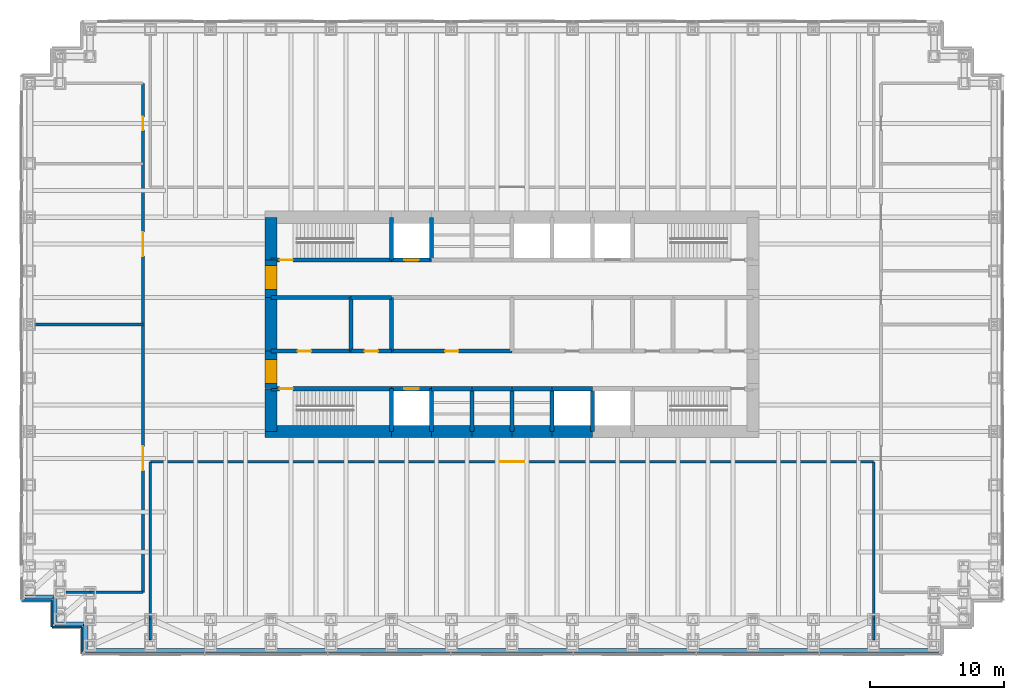
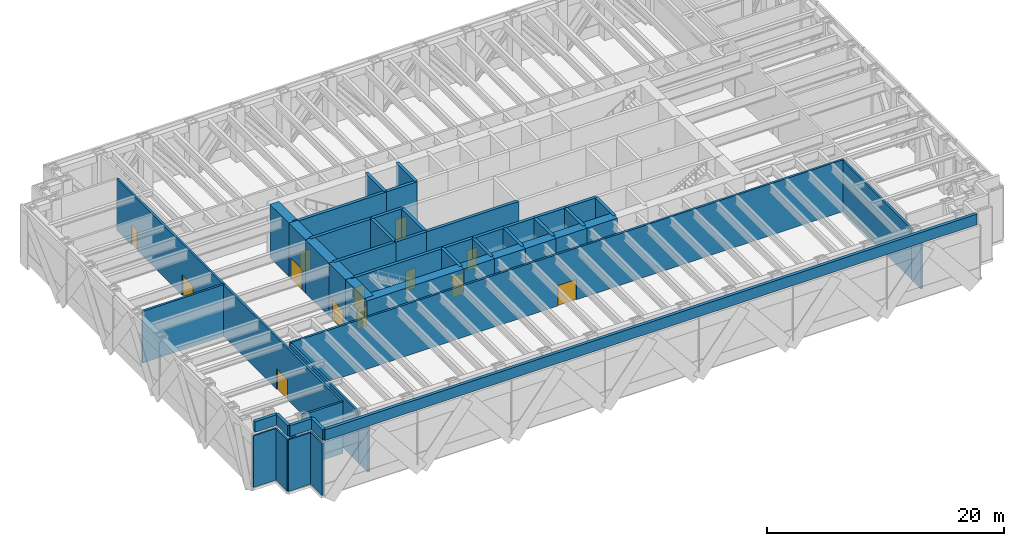
# One storey, part 13 of 16: 52 walls, 13 doors, 13 openings.
"""IFC4 building model written with IfcOpenShell, lengths in metres."""

from ifc_helpers import new_model, si_unit, direction, frame, frame_2d, origin, place, context, subcontext, project, spatial, rectangle, extrude, material, layer, layer_set, type_object, element, fill, save


model = new_model("IFC4")

# Units and contexts
model_context = context("Model", 3, precision=1e-05, world=origin(), true_north=direction((0.0, 1.0)))
body_context = subcontext(model_context, "Body", "Model", "MODEL_VIEW")
ifc_project = project(units=[si_unit("LENGTHUNIT", "METRE"), si_unit("AREAUNIT", "SQUARE_METRE"), si_unit("VOLUMEUNIT", "CUBIC_METRE"), si_unit("PLANEANGLEUNIT", "RADIAN"), si_unit("MASSUNIT", "GRAM", prefix="KILO")], contexts=[model_context])

# Site, building, storey
site_placement = place(None, origin())
site = spatial("IfcSite", under=ifc_project, at=site_placement, CompositionType="ELEMENT")
building_placement = place(site_placement, origin())
building = spatial("IfcBuilding", under=site, at=building_placement, Name="Rheinbord Bourse Tower", CompositionType="ELEMENT")
storey_placement = place(building_placement, frame((0.0, 0.0, 95.0)))
storey = spatial("IfcBuildingStorey", under=building, at=storey_placement, Name="L20", CompositionType="ELEMENT", Elevation=95.0)

# Wall, opening, door
ifc_material_1 = material(Name="Concrete C50/60", Category="concrete")
ifc_layer_1 = layer(ifc_material_1, 0.300048828125)
ifc_layer_set_1 = layer_set([ifc_layer_1], Name="CORE INNER WALL 300")
wall_type_1 = type_object("IfcWallType", Name="CORE INNER WALL 300", PredefinedType="SOLIDWALL", material=ifc_layer_set_1)
wall_1_placement = place(storey_placement, frame((18.0, 19.199951171875, 0.0), z_axis=(0.0, 0.0, 1.0), x_axis=(1.0, 0.0, 0.0)))
wall_1 = element("IfcWall", 1, at=wall_1_placement, inside=storey, type_object=wall_type_1, Name="Core wall A1 L20", PredefinedType="SOLIDWALL", context=body_context, shape_type="SweptSolid", body=[
    extrude(rectangle(XDim=9.0, YDim=0.300048828125, at=frame_2d((4.5, 0.0))), origin(), (0.0, 0.0, 1.0), 5.5),
])
opening_1_placement = place(wall_1_placement, frame((0.64990234375, 0.0, 0.0)))
opening_1 = element("IfcOpeningElement", 2, at=opening_1_placement, cuts=wall_1, Name="Opening 2010", PredefinedType="OPENING", context=body_context, shape_type="SweptSolid", body=[
    extrude(rectangle(XDim=1.0, YDim=2.10009765625, at=frame_2d((0.5, 1.050048828125))), frame((0.0, 0.159912109375, 0.0), z_axis=(0.0, -1.0, 0.0), x_axis=(1.0, 0.0, 0.0)), (0.0, 0.0, 1.0), 0.320068359375),
])
ifc_material_2 = material(Name="Steel door", Category="steel")
door_type_1 = type_object("IfcDoorType", Name="DOOR 1000 EI30", OperationType="SINGLE_SWING_LEFT", PredefinedType="DOOR", material=ifc_material_2)
door_1_placement = place(opening_1_placement, origin())
door_1 = element("IfcDoor", 3, at=door_1_placement, inside=storey, type_object=door_type_1, Name="Stair door ST1 L20", OperationType="SINGLE_SWING_LEFT", OverallHeight=2.10009765625, OverallWidth=1.0, PredefinedType="DOOR", context=body_context, shape_type="SweptSolid", body=[
    extrude(rectangle(XDim=1.0, YDim=2.10009765625, at=frame_2d((0.5, 1.050048828125))), frame((0.0, 0.02490234375, 0.0), z_axis=(0.0, -1.0, 0.0), x_axis=(1.0, 0.0, 0.0)), (0.0, 0.0, 1.0), 0.050048828125),
])
fill(opening_1, door_1)

wall_2_placement = place(storey_placement, frame((27.0, 19.199951171875, 0.0), z_axis=(0.0, 0.0, 1.0), x_axis=(1.0, 0.0, 0.0)))
wall_2 = element("IfcWall", 4, at=wall_2_placement, inside=storey, type_object=wall_type_1, Name="Core wall A2 L20", PredefinedType="SOLIDWALL", context=body_context, shape_type="SweptSolid", body=[
    extrude(rectangle(XDim=3.0, YDim=0.300048828125, at=frame_2d((1.5, 0.0))), origin(), (0.0, 0.0, 1.0), 5.5),
])
opening_2_placement = place(wall_2_placement, frame((0.949951171875, 0.0, 0.0)))
opening_2 = element("IfcOpeningElement", 5, at=opening_2_placement, cuts=wall_2, Name="Opening FL1", PredefinedType="OPENING", context=body_context, shape_type="SweptSolid", body=[
    extrude(rectangle(XDim=1.10009765625, YDim=2.199951171875, at=frame_2d((0.550048828125, 1.10009765625))), frame((0.0, 0.159912109375, 0.0), z_axis=(0.0, -1.0, 0.0), x_axis=(1.0, 0.0, 0.0)), (0.0, 0.0, 1.0), 0.320068359375),
])
ifc_material_3 = material(Name="Steel landing door", Category="steel")
door_type_2 = type_object("IfcDoorType", Name="LIFT LANDING DOOR 1100", OperationType="DOUBLE_DOOR_SLIDING", PredefinedType="USERDEFINED", material=ifc_material_3)
door_2_placement = place(opening_2_placement, origin())
door_2 = element("IfcDoor", 6, at=door_2_placement, inside=storey, type_object=door_type_2, Name="Lift landing door FL1 L20", ObjectType="LIFT LANDING DOOR", OperationType="DOUBLE_DOOR_SLIDING", OverallHeight=2.199951171875, OverallWidth=1.10009765625, PredefinedType="USERDEFINED", context=body_context, shape_type="SweptSolid", body=[
    extrude(rectangle(XDim=1.10009765625, YDim=2.199951171875, at=frame_2d((0.550048828125, 1.10009765625))), frame((0.0, 0.02490234375, 0.0), z_axis=(0.0, -1.0, 0.0), x_axis=(1.0, 0.0, 0.0)), (0.0, 0.0, 1.0), 0.050048828125),
])
fill(opening_2, door_2)

# Walls
for number, where, z_axis, x_axis, name in (
    (7, (30.0, 19.199951171875, 0.0), (0.0, 0.0, 1.0), (1.0, 0.0, 0.0), "Core wall A3 L20"),
    (8, (33.0, 19.199951171875, 0.0), (0.0, 0.0, 1.0), (1.0, 0.0, 0.0), "Core wall A4 L20"),
    (9, (36.0, 19.199951171875, 0.0), (0.0, 0.0, 1.0), (1.0, 0.0, 0.0), "Core wall A5 L20"),
    (10, (39.0, 19.199951171875, 0.0), (0.0, 0.0, 1.0), (1.0, 0.0, 0.0), "Core wall A6 L20"),
):
    element("IfcWall", number, at=place(storey_placement, frame(where, z_axis=z_axis, x_axis=x_axis)), inside=storey, type_object=wall_type_1, Name=name, PredefinedType="SOLIDWALL", context=body_context, shape_type="SweptSolid", body=[
        extrude(rectangle(XDim=3.0, YDim=0.300048828125, at=frame_2d((1.5, 0.0))), origin(), (0.0, 0.0, 1.0), 5.5),
    ])

# Wall, opening, door
wall_3_placement = place(storey_placement, frame((18.0, 28.800048828125, 0.0), z_axis=(0.0, 0.0, 1.0), x_axis=(1.0, 0.0, 0.0)))
wall_3 = element("IfcWall", 11, at=wall_3_placement, inside=storey, type_object=wall_type_1, Name="Core wall B1 L20", PredefinedType="SOLIDWALL", context=body_context, shape_type="SweptSolid", body=[
    extrude(rectangle(XDim=9.0, YDim=0.300048828125, at=frame_2d((4.5, 0.0))), origin(), (0.0, 0.0, 1.0), 5.5),
])
opening_3_placement = place(wall_3_placement, frame((0.64990234375, 0.0, 0.0)))
opening_3 = element("IfcOpeningElement", 12, at=opening_3_placement, cuts=wall_3, Name="Opening 2020", PredefinedType="OPENING", context=body_context, shape_type="SweptSolid", body=[
    extrude(rectangle(XDim=1.0, YDim=2.10009765625, at=frame_2d((0.5, 1.050048828125))), frame((0.0, 0.159912109375, 0.0), z_axis=(0.0, -1.0, 0.0), x_axis=(1.0, 0.0, 0.0)), (0.0, 0.0, 1.0), 0.320068359375),
])
door_3_placement = place(opening_3_placement, origin())
door_3 = element("IfcDoor", 13, at=door_3_placement, inside=storey, type_object=door_type_1, Name="Stair door ST2 L20", OperationType="SINGLE_SWING_LEFT", OverallHeight=2.10009765625, OverallWidth=1.0, PredefinedType="DOOR", context=body_context, shape_type="SweptSolid", body=[
    extrude(rectangle(XDim=1.0, YDim=2.10009765625, at=frame_2d((0.5, 1.050048828125))), frame((0.0, 0.02490234375, 0.0), z_axis=(0.0, -1.0, 0.0), x_axis=(1.0, 0.0, 0.0)), (0.0, 0.0, 1.0), 0.050048828125),
])
fill(opening_3, door_3)

wall_4_placement = place(storey_placement, frame((27.0, 28.800048828125, 0.0), z_axis=(0.0, 0.0, 1.0), x_axis=(1.0, 0.0, 0.0)))
wall_4 = element("IfcWall", 14, at=wall_4_placement, inside=storey, type_object=wall_type_1, Name="Core wall B2 L20", PredefinedType="SOLIDWALL", context=body_context, shape_type="SweptSolid", body=[
    extrude(rectangle(XDim=3.0, YDim=0.300048828125, at=frame_2d((1.5, 0.0))), origin(), (0.0, 0.0, 1.0), 5.5),
])
opening_4_placement = place(wall_4_placement, frame((0.949951171875, 0.0, 0.0)))
opening_4 = element("IfcOpeningElement", 15, at=opening_4_placement, cuts=wall_4, Name="Opening GL1", PredefinedType="OPENING", context=body_context, shape_type="SweptSolid", body=[
    extrude(rectangle(XDim=1.10009765625, YDim=2.199951171875, at=frame_2d((0.550048828125, 1.10009765625))), frame((0.0, 0.159912109375, 0.0), z_axis=(0.0, -1.0, 0.0), x_axis=(1.0, 0.0, 0.0)), (0.0, 0.0, 1.0), 0.320068359375),
])
door_4_placement = place(opening_4_placement, origin())
door_4 = element("IfcDoor", 16, at=door_4_placement, inside=storey, type_object=door_type_2, Name="Lift landing door GL1 L20", ObjectType="LIFT LANDING DOOR", OperationType="DOUBLE_DOOR_SLIDING", OverallHeight=2.199951171875, OverallWidth=1.10009765625, PredefinedType="USERDEFINED", context=body_context, shape_type="SweptSolid", body=[
    extrude(rectangle(XDim=1.10009765625, YDim=2.199951171875, at=frame_2d((0.550048828125, 1.10009765625))), frame((0.0, 0.02490234375, 0.0), z_axis=(0.0, -1.0, 0.0), x_axis=(1.0, 0.0, 0.0)), (0.0, 0.0, 1.0), 0.050048828125),
])
fill(opening_4, door_4)

wall_5_placement = place(storey_placement, frame((18.0, 22.0, 0.0), z_axis=(0.0, 0.0, 1.0), x_axis=(1.0, 0.0, 0.0)))
wall_5 = element("IfcWall", 17, at=wall_5_placement, inside=storey, type_object=wall_type_1, Name="Core wall C1 L20", PredefinedType="SOLIDWALL", context=body_context, shape_type="SweptSolid", body=[
    extrude(rectangle(XDim=6.0, YDim=0.300048828125, at=frame_2d((3.0, 0.0))), origin(), (0.0, 0.0, 1.0), 5.5),
])
opening_5_placement = place(wall_5_placement, frame((2.0, 0.0, 0.0)))
opening_5 = element("IfcOpeningElement", 18, at=opening_5_placement, cuts=wall_5, Name="Opening 20R1", PredefinedType="OPENING", context=body_context, shape_type="SweptSolid", body=[
    extrude(rectangle(XDim=1.0, YDim=2.10009765625, at=frame_2d((0.5, 1.050048828125))), frame((0.0, 0.159912109375, 0.0), z_axis=(0.0, -1.0, 0.0), x_axis=(1.0, 0.0, 0.0)), (0.0, 0.0, 1.0), 0.320068359375),
])
ifc_material_4 = material(Name="Timber door", Category="wood")
door_type_3 = type_object("IfcDoorType", Name="DOOR 1000 WC", OperationType="SINGLE_SWING_LEFT", PredefinedType="DOOR", material=ifc_material_4)
door_5_placement = place(opening_5_placement, origin())
door_5 = element("IfcDoor", 19, at=door_5_placement, inside=storey, type_object=door_type_3, Name="WC men door L20", OperationType="SINGLE_SWING_LEFT", OverallHeight=2.10009765625, OverallWidth=1.0, PredefinedType="DOOR", context=body_context, shape_type="SweptSolid", body=[
    extrude(rectangle(XDim=1.0, YDim=2.10009765625, at=frame_2d((0.5, 1.050048828125))), frame((0.0, 0.02490234375, 0.0), z_axis=(0.0, -1.0, 0.0), x_axis=(1.0, 0.0, 0.0)), (0.0, 0.0, 1.0), 0.050048828125),
])
fill(opening_5, door_5)

wall_6_placement = place(storey_placement, frame((24.0, 22.0, 0.0), z_axis=(0.0, 0.0, 1.0), x_axis=(1.0, 0.0, 0.0)))
wall_6 = element("IfcWall", 20, at=wall_6_placement, inside=storey, type_object=wall_type_1, Name="Core wall C2 L20", PredefinedType="SOLIDWALL", context=body_context, shape_type="SweptSolid", body=[
    extrude(rectangle(XDim=3.0, YDim=0.300048828125, at=frame_2d((1.5, 0.0))), origin(), (0.0, 0.0, 1.0), 5.5),
])
opening_6_placement = place(wall_6_placement, frame((1.0, 0.0, 0.0)))
opening_6 = element("IfcOpeningElement", 21, at=opening_6_placement, cuts=wall_6, Name="Opening 20R2", PredefinedType="OPENING", context=body_context, shape_type="SweptSolid", body=[
    extrude(rectangle(XDim=1.0, YDim=2.10009765625, at=frame_2d((0.5, 1.050048828125))), frame((0.0, 0.159912109375, 0.0), z_axis=(0.0, -1.0, 0.0), x_axis=(1.0, 0.0, 0.0)), (0.0, 0.0, 1.0), 0.320068359375),
])
door_6_placement = place(opening_6_placement, origin())
door_6 = element("IfcDoor", 22, at=door_6_placement, inside=storey, type_object=door_type_3, Name="Accessible WC door L20", OperationType="SINGLE_SWING_LEFT", OverallHeight=2.10009765625, OverallWidth=1.0, PredefinedType="DOOR", context=body_context, shape_type="SweptSolid", body=[
    extrude(rectangle(XDim=1.0, YDim=2.10009765625, at=frame_2d((0.5, 1.050048828125))), frame((0.0, 0.02490234375, 0.0), z_axis=(0.0, -1.0, 0.0), x_axis=(1.0, 0.0, 0.0)), (0.0, 0.0, 1.0), 0.050048828125),
])
fill(opening_6, door_6)

wall_7_placement = place(storey_placement, frame((27.0, 22.0, 0.0), z_axis=(0.0, 0.0, 1.0), x_axis=(1.0, 0.0, 0.0)))
wall_7 = element("IfcWall", 23, at=wall_7_placement, inside=storey, type_object=wall_type_1, Name="Core wall C3 L20", PredefinedType="SOLIDWALL", context=body_context, shape_type="SweptSolid", body=[
    extrude(rectangle(XDim=9.0, YDim=0.300048828125, at=frame_2d((4.5, 0.0))), origin(), (0.0, 0.0, 1.0), 5.5),
])
opening_7_placement = place(wall_7_placement, frame((4.0, 0.0, 0.0)))
opening_7 = element("IfcOpeningElement", 24, at=opening_7_placement, cuts=wall_7, Name="Opening 20R3", PredefinedType="OPENING", context=body_context, shape_type="SweptSolid", body=[
    extrude(rectangle(XDim=1.0, YDim=2.10009765625, at=frame_2d((0.5, 1.050048828125))), frame((0.0, 0.159912109375, 0.0), z_axis=(0.0, -1.0, 0.0), x_axis=(1.0, 0.0, 0.0)), (0.0, 0.0, 1.0), 0.320068359375),
])
door_7_placement = place(opening_7_placement, origin())
door_7 = element("IfcDoor", 25, at=door_7_placement, inside=storey, type_object=door_type_1, Name="Riser door L20", OperationType="SINGLE_SWING_LEFT", OverallHeight=2.10009765625, OverallWidth=1.0, PredefinedType="DOOR", context=body_context, shape_type="SweptSolid", body=[
    extrude(rectangle(XDim=1.0, YDim=2.10009765625, at=frame_2d((0.5, 1.050048828125))), frame((0.0, 0.02490234375, 0.0), z_axis=(0.0, -1.0, 0.0), x_axis=(1.0, 0.0, 0.0)), (0.0, 0.0, 1.0), 0.050048828125),
])
fill(opening_7, door_7)

# Walls
wall_8_placement = place(storey_placement, frame((18.0, 26.0, 0.0), z_axis=(0.0, 0.0, 1.0), x_axis=(1.0, 0.0, 0.0)))
element("IfcWall", 26, at=wall_8_placement, inside=storey, type_object=wall_type_1, Name="Core wall D1 L20", PredefinedType="SOLIDWALL", context=body_context, shape_type="SweptSolid", body=[
    extrude(rectangle(XDim=6.0, YDim=0.300048828125, at=frame_2d((3.0, 0.0))), origin(), (0.0, 0.0, 1.0), 5.5),
])
wall_9_placement = place(storey_placement, frame((24.0, 26.0, 0.0), z_axis=(0.0, 0.0, 1.0), x_axis=(1.0, 0.0, 0.0)))
element("IfcWall", 27, at=wall_9_placement, inside=storey, type_object=wall_type_1, Name="Core wall D2 L20", PredefinedType="SOLIDWALL", context=body_context, shape_type="SweptSolid", body=[
    extrude(rectangle(XDim=3.0, YDim=0.300048828125, at=frame_2d((1.5, 0.0))), origin(), (0.0, 0.0, 1.0), 5.5),
])
for number, where, z_axis, x_axis, name in (
    (28, (27.0, 16.0, 0.0), (0.0, 0.0, 1.0), (0.0, 1.0, 0.0), "Core wall SX27 L20"),
    (29, (27.0, 28.800048828125, 0.0), (0.0, 0.0, 1.0), (0.0, 1.0, 0.0), "Core wall NX27 L20"),
    (30, (30.0, 16.0, 0.0), (0.0, 0.0, 1.0), (0.0, 1.0, 0.0), "Core wall SX30 L20"),
    (31, (30.0, 28.800048828125, 0.0), (0.0, 0.0, 1.0), (0.0, 1.0, 0.0), "Core wall NX30 L20"),
    (32, (33.0, 16.0, 0.0), (0.0, 0.0, 1.0), (0.0, 1.0, 0.0), "Core wall SX33 L20"),
    (33, (36.0, 16.0, 0.0), (0.0, 0.0, 1.0), (0.0, 1.0, 0.0), "Core wall SX36 L20"),
    (34, (39.0, 16.0, 0.0), (0.0, 0.0, 1.0), (0.0, 1.0, 0.0), "Core wall SX39 L20"),
    (35, (42.0, 16.0, 0.0), (0.0, 0.0, 1.0), (0.0, 1.0, 0.0), "Core wall SX42 L20"),
):
    element("IfcWall", number, at=place(storey_placement, frame(where, z_axis=z_axis, x_axis=x_axis)), inside=storey, type_object=wall_type_1, Name=name, PredefinedType="SOLIDWALL", context=body_context, shape_type="SweptSolid", body=[
        extrude(rectangle(XDim=3.199951171875, YDim=0.300048828125, at=frame_2d((1.60009765625, 0.0))), origin(), (0.0, 0.0, 1.0), 5.5),
    ])
for number, where, z_axis, x_axis, name in (
    (36, (24.0, 22.0, 0.0), (0.0, 0.0, 1.0), (0.0, 1.0, 0.0), "Core wall MX24 L20"),
    (37, (27.0, 22.0, 0.0), (0.0, 0.0, 1.0), (0.0, 1.0, 0.0), "Core wall MX27 L20"),
):
    element("IfcWall", number, at=place(storey_placement, frame(where, z_axis=z_axis, x_axis=x_axis)), inside=storey, type_object=wall_type_1, Name=name, PredefinedType="SOLIDWALL", context=body_context, shape_type="SweptSolid", body=[
        extrude(rectangle(XDim=4.0, YDim=0.300048828125, at=frame_2d((2.0, 0.0))), origin(), (0.0, 0.0, 1.0), 5.5),
    ])
ifc_material_5 = material(Name="Concrete C50/60", Category="concrete")
ifc_layer_2 = layer(ifc_material_5, 0.89990234375)
ifc_layer_set_2 = layer_set([ifc_layer_2], Name="CORE WALL 900")
wall_type_2 = type_object("IfcWallType", Name="CORE WALL 900", PredefinedType="SHEAR", material=ifc_layer_set_2)
wall_10_placement = place(storey_placement, frame((17.550048828125, 16.0, 0.0), z_axis=(0.0, 0.0, 1.0), x_axis=(1.0, 0.0, 0.0)))
element("IfcWall", 38, at=wall_10_placement, inside=storey, type_object=wall_type_2, Name="Core wall S1 L20", PredefinedType="SHEAR", context=body_context, shape_type="SweptSolid", body=[
    extrude(rectangle(XDim=9.449951171875, YDim=0.89990234375, at=frame_2d((4.72509765625, 0.0))), origin(), (0.0, 0.0, 1.0), 5.5),
])
for number, where, z_axis, x_axis, name in (
    (39, (27.0, 16.0, 0.0), (0.0, 0.0, 1.0), (1.0, 0.0, 0.0), "Core wall S2 L20"),
    (40, (30.0, 16.0, 0.0), (0.0, 0.0, 1.0), (1.0, 0.0, 0.0), "Core wall S3 L20"),
    (41, (33.0, 16.0, 0.0), (0.0, 0.0, 1.0), (1.0, 0.0, 0.0), "Core wall S4 L20"),
    (42, (36.0, 16.0, 0.0), (0.0, 0.0, 1.0), (1.0, 0.0, 0.0), "Core wall S5 L20"),
    (43, (39.0, 16.0, 0.0), (0.0, 0.0, 1.0), (1.0, 0.0, 0.0), "Core wall S6 L20"),
):
    element("IfcWall", number, at=place(storey_placement, frame(where, z_axis=z_axis, x_axis=x_axis)), inside=storey, type_object=wall_type_2, Name=name, PredefinedType="SHEAR", context=body_context, shape_type="SweptSolid", body=[
        extrude(rectangle(XDim=3.0, YDim=0.89990234375, at=frame_2d((1.5, 0.0))), origin(), (0.0, 0.0, 1.0), 5.5),
    ])
wall_11_placement = place(storey_placement, frame((18.0, 32.0, 0.0), z_axis=(0.0, 0.0, 1.0), x_axis=(0.0, -1.0, 0.0)))
element("IfcWall", 44, at=wall_11_placement, inside=storey, type_object=wall_type_2, Name="Core wall W1 L20", PredefinedType="SHEAR", context=body_context, shape_type="SweptSolid", body=[
    extrude(rectangle(XDim=3.199951171875, YDim=0.89990234375, at=frame_2d((1.60009765625, 0.0))), origin(), (0.0, 0.0, 1.0), 5.5),
])

# Wall, opening, door
wall_12_placement = place(storey_placement, frame((18.0, 28.800048828125, 0.0), z_axis=(0.0, 0.0, 1.0), x_axis=(0.0, -1.0, 0.0)))
wall_12 = element("IfcWall", 45, at=wall_12_placement, inside=storey, type_object=wall_type_2, Name="Core wall W2 L20", PredefinedType="SHEAR", context=body_context, shape_type="SweptSolid", body=[
    extrude(rectangle(XDim=2.800048828125, YDim=0.89990234375, at=frame_2d((1.39990234375, 0.0))), origin(), (0.0, 0.0, 1.0), 5.5),
])
opening_8_placement = place(wall_12_placement, frame((0.39990234375, 0.0, 0.0)))
opening_8 = element("IfcOpeningElement", 46, at=opening_8_placement, cuts=wall_12, Name="Opening 20L2", PredefinedType="OPENING", context=body_context, shape_type="SweptSolid", body=[
    extrude(rectangle(XDim=1.800048828125, YDim=2.10009765625, at=frame_2d((0.89990234375, 1.050048828125))), frame((0.0, 0.4599609375, 0.0), z_axis=(0.0, -1.0, 0.0), x_axis=(1.0, 0.0, 0.0)), (0.0, 0.0, 1.0), 0.919921875),
])
ifc_material_6 = material(Name="Steel door", Category="steel")
door_type_4 = type_object("IfcDoorType", Name="DOOR 1800 EI30 DOUBLE", OperationType="DOUBLE_DOOR_DOUBLE_SWING", PredefinedType="DOOR", material=ifc_material_6)
door_8_placement = place(opening_8_placement, origin())
door_8 = element("IfcDoor", 47, at=door_8_placement, inside=storey, type_object=door_type_4, Name="Lobby door 2 L20", OperationType="SINGLE_SWING_LEFT", OverallHeight=2.10009765625, OverallWidth=1.800048828125, PredefinedType="DOOR", context=body_context, shape_type="SweptSolid", body=[
    extrude(rectangle(XDim=1.800048828125, YDim=2.10009765625, at=frame_2d((0.89990234375, 1.050048828125))), frame((0.0, 0.44970703125, 0.0), z_axis=(0.0, -1.0, 0.0), x_axis=(1.0, 0.0, 0.0)), (0.0, 0.0, 1.0), 0.8994140625),
])
fill(opening_8, door_8)

# Wall
wall_13_placement = place(storey_placement, frame((18.0, 26.0, 0.0), z_axis=(0.0, 0.0, 1.0), x_axis=(0.0, -1.0, 0.0)))
element("IfcWall", 48, at=wall_13_placement, inside=storey, type_object=wall_type_2, Name="Core wall W3 L20", PredefinedType="SHEAR", context=body_context, shape_type="SweptSolid", body=[
    extrude(rectangle(XDim=4.0, YDim=0.89990234375, at=frame_2d((2.0, 0.0))), origin(), (0.0, 0.0, 1.0), 5.5),
])

# Wall, opening, door
wall_14_placement = place(storey_placement, frame((18.0, 22.0, 0.0), z_axis=(0.0, 0.0, 1.0), x_axis=(0.0, -1.0, 0.0)))
wall_14 = element("IfcWall", 49, at=wall_14_placement, inside=storey, type_object=wall_type_2, Name="Core wall W4 L20", PredefinedType="SHEAR", context=body_context, shape_type="SweptSolid", body=[
    extrude(rectangle(XDim=2.800048828125, YDim=0.89990234375, at=frame_2d((1.39990234375, 0.0))), origin(), (0.0, 0.0, 1.0), 5.5),
])
opening_9_placement = place(wall_14_placement, frame((0.60009765625, 0.0, 0.0)))
opening_9 = element("IfcOpeningElement", 50, at=opening_9_placement, cuts=wall_14, Name="Opening 20L1", PredefinedType="OPENING", context=body_context, shape_type="SweptSolid", body=[
    extrude(rectangle(XDim=1.800048828125, YDim=2.10009765625, at=frame_2d((0.89990234375, 1.050048828125))), frame((0.0, 0.4599609375, 0.0), z_axis=(0.0, -1.0, 0.0), x_axis=(1.0, 0.0, 0.0)), (0.0, 0.0, 1.0), 0.919921875),
])
door_9_placement = place(opening_9_placement, origin())
door_9 = element("IfcDoor", 51, at=door_9_placement, inside=storey, type_object=door_type_4, Name="Lobby door 1 L20", OperationType="SINGLE_SWING_LEFT", OverallHeight=2.10009765625, OverallWidth=1.800048828125, PredefinedType="DOOR", context=body_context, shape_type="SweptSolid", body=[
    extrude(rectangle(XDim=1.800048828125, YDim=2.10009765625, at=frame_2d((0.89990234375, 1.050048828125))), frame((0.0, 0.44970703125, 0.0), z_axis=(0.0, -1.0, 0.0), x_axis=(1.0, 0.0, 0.0)), (0.0, 0.0, 1.0), 0.8994140625),
])
fill(opening_9, door_9)

# Walls
wall_15_placement = place(storey_placement, frame((18.0, 19.199951171875, 0.0), z_axis=(0.0, 0.0, 1.0), x_axis=(0.0, -1.0, 0.0)))
element("IfcWall", 52, at=wall_15_placement, inside=storey, type_object=wall_type_2, Name="Core wall W5 L20", PredefinedType="SHEAR", context=body_context, shape_type="SweptSolid", body=[
    extrude(rectangle(XDim=3.199951171875, YDim=0.89990234375, at=frame_2d((1.60009765625, 0.0))), origin(), (0.0, 0.0, 1.0), 5.5),
])
ifc_material_7 = material(Name="Black metal rainscreen panel", Category="aluminium")
ifc_layer_3 = layer(ifc_material_7, 0.14990234375)
ifc_layer_set_3 = layer_set([ifc_layer_3], Name="CORNER PIER CLADDING 150")
wall_type_3 = type_object("IfcWallType", Name="CORNER PIER CLADDING 150", PredefinedType="ELEMENTEDWALL", material=ifc_layer_set_3)
wall_16_placement = place(storey_placement, frame((-0.60009765625, 3.39990234375, 0.0), z_axis=(0.0, 0.0, 1.0), x_axis=(1.0, 0.0, 0.0)))
element("IfcWall", 53, at=wall_16_placement, inside=storey, type_object=wall_type_3, Name="Corner pier cladding L20 17", PredefinedType="ELEMENTEDWALL", context=body_context, shape_type="SweptSolid", body=[
    extrude(rectangle(XDim=2.25, YDim=0.14990234375, at=frame_2d((1.125, 0.0))), origin(), (0.0, 0.0, 1.0), 5.340087890625),
])
wall_17_placement = place(storey_placement, frame((1.64990234375, 3.39990234375, 0.0), z_axis=(0.0, 0.0, 1.0), x_axis=(0.0, -1.0, 0.0)))
element("IfcWall", 54, at=wall_17_placement, inside=storey, type_object=wall_type_3, Name="Corner pier cladding L20 18", PredefinedType="ELEMENTEDWALL", context=body_context, shape_type="SweptSolid", body=[
    extrude(rectangle(XDim=2.0, YDim=0.14990234375, at=frame_2d((1.0, 0.0))), origin(), (0.0, 0.0, 1.0), 5.340087890625),
])
wall_18_placement = place(storey_placement, frame((1.64990234375, 1.39990234375, 0.0), z_axis=(0.0, 0.0, 1.0), x_axis=(1.0, 0.0, 0.0)))
element("IfcWall", 55, at=wall_18_placement, inside=storey, type_object=wall_type_3, Name="Corner pier cladding L20 19", PredefinedType="ELEMENTEDWALL", context=body_context, shape_type="SweptSolid", body=[
    extrude(rectangle(XDim=2.25, YDim=0.14990234375, at=frame_2d((1.125, 0.0))), origin(), (0.0, 0.0, 1.0), 5.340087890625),
])
wall_19_placement = place(storey_placement, frame((3.89990234375, 1.39990234375, 0.0), z_axis=(0.0, 0.0, 1.0), x_axis=(0.0, -1.0, 0.0)))
element("IfcWall", 56, at=wall_19_placement, inside=storey, type_object=wall_type_3, Name="Corner pier cladding L20 20", PredefinedType="ELEMENTEDWALL", context=body_context, shape_type="SweptSolid", body=[
    extrude(rectangle(XDim=2.0, YDim=0.14990234375, at=frame_2d((1.0, 0.0))), origin(), (0.0, 0.0, 1.0), 5.340087890625),
])
ifc_material_8 = material(Name="Concrete C30/37", Category="concrete")
ifc_layer_4 = layer(ifc_material_8, 0.300048828125)
ifc_layer_set_4 = layer_set([ifc_layer_4], Name="PARAPET 300")
wall_type_4 = type_object("IfcWallType", Name="PARAPET 300", PredefinedType="PARAPET", material=ifc_layer_set_4)
wall_20_placement = place(storey_placement, frame((4.14990234375, -0.35009765625, 5.5), z_axis=(0.0, 0.0, 1.0), x_axis=(1.0, 0.0, 0.0)))
element("IfcWall", 57, at=wall_20_placement, inside=storey, type_object=wall_type_4, Name="Setback parapet L21 1", PredefinedType="PARAPET", context=body_context, shape_type="SweptSolid", body=[
    extrude(rectangle(XDim=63.7001953125, YDim=0.300048828125, at=frame_2d((31.85009765625, 0.0))), origin(), (0.0, 0.0, 1.0), 1.10009765625),
])
wall_21_placement = place(storey_placement, frame((-0.35009765625, 3.64990234375, 5.5), z_axis=(0.0, 0.0, 1.0), x_axis=(1.0, 0.0, 0.0)))
element("IfcWall", 58, at=wall_21_placement, inside=storey, type_object=wall_type_4, Name="Setback parapet L21 6", PredefinedType="PARAPET", context=body_context, shape_type="SweptSolid", body=[
    extrude(rectangle(XDim=2.25, YDim=0.300048828125, at=frame_2d((1.125, 0.0))), origin(), (0.0, 0.0, 1.0), 1.10009765625),
])
wall_22_placement = place(storey_placement, frame((1.89990234375, 3.64990234375, 5.5), z_axis=(0.0, 0.0, 1.0), x_axis=(0.0, -1.0, 0.0)))
element("IfcWall", 59, at=wall_22_placement, inside=storey, type_object=wall_type_4, Name="Setback parapet L21 7", PredefinedType="PARAPET", context=body_context, shape_type="SweptSolid", body=[
    extrude(rectangle(XDim=2.0, YDim=0.300048828125, at=frame_2d((1.0, 0.0))), origin(), (0.0, 0.0, 1.0), 1.10009765625),
])
wall_23_placement = place(storey_placement, frame((1.89990234375, 1.64990234375, 5.5), z_axis=(0.0, 0.0, 1.0), x_axis=(1.0, 0.0, 0.0)))
element("IfcWall", 60, at=wall_23_placement, inside=storey, type_object=wall_type_4, Name="Setback parapet L21 8", PredefinedType="PARAPET", context=body_context, shape_type="SweptSolid", body=[
    extrude(rectangle(XDim=2.25, YDim=0.300048828125, at=frame_2d((1.125, 0.0))), origin(), (0.0, 0.0, 1.0), 1.10009765625),
])
wall_24_placement = place(storey_placement, frame((4.14990234375, 1.64990234375, 5.5), z_axis=(0.0, 0.0, 1.0), x_axis=(0.0, -1.0, 0.0)))
element("IfcWall", 61, at=wall_24_placement, inside=storey, type_object=wall_type_4, Name="Setback parapet L21 9", PredefinedType="PARAPET", context=body_context, shape_type="SweptSolid", body=[
    extrude(rectangle(XDim=2.0, YDim=0.300048828125, at=frame_2d((1.0, 0.0))), origin(), (0.0, 0.0, 1.0), 1.10009765625),
])
ifc_material_9 = material(Name="Concrete block plant room wall", Category="concrete")
ifc_layer_5 = layer(ifc_material_9, 0.199951171875)
ifc_layer_set_5 = layer_set([ifc_layer_5], Name="PLANT ROOM PARTITION 200 EI90")
wall_type_5 = type_object("IfcWallType", Name="PLANT ROOM PARTITION 200 EI90", PredefinedType="PARTITIONING", material=ifc_layer_set_5)
wall_25_placement = place(storey_placement, frame((2.699951171875, 4.0, 0.0), z_axis=(0.0, 0.0, 1.0), x_axis=(1.0, 0.0, 0.0)))
element("IfcWall", 62, at=wall_25_placement, inside=storey, type_object=wall_type_5, Name="Partition L20-01", PredefinedType="PARTITIONING", context=body_context, shape_type="SweptSolid", body=[
    extrude(rectangle(XDim=1.800048828125, YDim=0.199951171875, at=frame_2d((0.89990234375, 0.0))), origin(), (0.0, 0.0, 1.0), 4.639892578125),
])
wall_26_placement = place(storey_placement, frame((4.5, 4.0, 0.0), z_axis=(0.0, 0.0, 1.0), x_axis=(1.0, 0.0, 0.0)))
element("IfcWall", 63, at=wall_26_placement, inside=storey, type_object=wall_type_5, Name="Partition L20-01b", PredefinedType="PARTITIONING", context=body_context, shape_type="SweptSolid", body=[
    extrude(rectangle(XDim=3.949951171875, YDim=0.199951171875, at=frame_2d((1.97509765625, 0.0))), origin(), (0.0, 0.0, 1.0), 5.340087890625),
])

# Wall, opening, door
wall_27_placement = place(storey_placement, frame((9.0, 13.75, 0.0), z_axis=(0.0, 0.0, 1.0), x_axis=(1.0, 0.0, 0.0)))
wall_27 = element("IfcWall", 64, at=wall_27_placement, inside=storey, type_object=wall_type_5, Name="Partition L20-03", PredefinedType="PARTITIONING", context=body_context, shape_type="SweptSolid", body=[
    extrude(rectangle(XDim=54.0, YDim=0.199951171875, at=frame_2d((27.0, 0.0))), origin(), (0.0, 0.0, 1.0), 5.340087890625),
])
opening_10_placement = place(wall_27_placement, frame((26.10009765625, 0.0, 0.0)))
opening_10 = element("IfcOpeningElement", 65, at=opening_10_placement, cuts=wall_27, Name="Opening 20P01", PredefinedType="OPENING", context=body_context, shape_type="SweptSolid", body=[
    extrude(rectangle(XDim=1.800048828125, YDim=2.10009765625, at=frame_2d((0.89990234375, 1.050048828125))), frame((0.0, 0.10986328125, 0.0), z_axis=(0.0, -1.0, 0.0), x_axis=(1.0, 0.0, 0.0)), (0.0, 0.0, 1.0), 0.219970703125),
])
ifc_material_10 = material(Name="Steel fire door", Category="steel")
door_type_5 = type_object("IfcDoorType", Name="PLANT ROOM DOUBLE DOOR 1800 EI60", OperationType="DOUBLE_DOOR_DOUBLE_SWING", PredefinedType="DOOR", material=ifc_material_10)
door_10_placement = place(opening_10_placement, origin())
door_10 = element("IfcDoor", 66, at=door_10_placement, inside=storey, type_object=door_type_5, Name="Refuge area door L20", OperationType="SINGLE_SWING_LEFT", OverallHeight=2.10009765625, OverallWidth=1.800048828125, PredefinedType="DOOR", context=body_context, shape_type="SweptSolid", body=[
    extrude(rectangle(XDim=1.800048828125, YDim=2.10009765625, at=frame_2d((0.89990234375, 1.050048828125))), frame((0.0, 0.02490234375, 0.0), z_axis=(0.0, -1.0, 0.0), x_axis=(1.0, 0.0, 0.0)), (0.0, 0.0, 1.0), 0.050048828125),
])
fill(opening_10, door_10)

# Wall
wall_28_placement = place(storey_placement, frame((0.449951171875, 24.0, 0.0), z_axis=(0.0, 0.0, 1.0), x_axis=(1.0, 0.0, 0.0)))
element("IfcWall", 67, at=wall_28_placement, inside=storey, type_object=wall_type_5, Name="Partition L20-04", PredefinedType="PARTITIONING", context=body_context, shape_type="SweptSolid", body=[
    extrude(rectangle(XDim=8.0, YDim=0.199951171875, at=frame_2d((4.0, 0.0))), origin(), (0.0, 0.0, 1.0), 5.340087890625),
])

# Wall, openings, doors
wall_29_placement = place(storey_placement, frame((8.449951171875, 4.0, 0.0), z_axis=(0.0, 0.0, 1.0), x_axis=(0.0, 1.0, 0.0)))
wall_29 = element("IfcWall", 68, at=wall_29_placement, inside=storey, type_object=wall_type_5, Name="Partition L20-12", PredefinedType="PARTITIONING", context=body_context, shape_type="SweptSolid", body=[
    extrude(rectangle(XDim=38.0, YDim=0.199951171875, at=frame_2d((19.0, 0.0))), origin(), (0.0, 0.0, 1.0), 5.340087890625),
])
opening_11_placement = place(wall_29_placement, frame((9.10009765625, 0.0, 0.0)))
opening_11 = element("IfcOpeningElement", 69, at=opening_11_placement, cuts=wall_29, Name="Opening 20P03", PredefinedType="OPENING", context=body_context, shape_type="SweptSolid", body=[
    extrude(rectangle(XDim=1.800048828125, YDim=2.10009765625, at=frame_2d((0.89990234375, 1.050048828125))), frame((0.0, 0.10986328125, 0.0), z_axis=(0.0, -1.0, 0.0), x_axis=(1.0, 0.0, 0.0)), (0.0, 0.0, 1.0), 0.219970703125),
])
opening_12_placement = place(wall_29_placement, frame((25.10009765625, 0.0, 0.0)))
opening_12 = element("IfcOpeningElement", 70, at=opening_12_placement, cuts=wall_29, Name="Opening 20P05", PredefinedType="OPENING", context=body_context, shape_type="SweptSolid", body=[
    extrude(rectangle(XDim=1.800048828125, YDim=2.10009765625, at=frame_2d((0.89990234375, 1.050048828125))), frame((0.0, 0.10986328125, 0.0), z_axis=(0.0, -1.0, 0.0), x_axis=(1.0, 0.0, 0.0)), (0.0, 0.0, 1.0), 0.219970703125),
])
opening_13_placement = place(wall_29_placement, frame((34.5, 0.0, 0.0)))
opening_13 = element("IfcOpeningElement", 71, at=opening_13_placement, cuts=wall_29, Name="Opening 20P07", PredefinedType="OPENING", context=body_context, shape_type="SweptSolid", body=[
    extrude(rectangle(XDim=1.0, YDim=2.10009765625, at=frame_2d((0.5, 1.050048828125))), frame((0.0, 0.10986328125, 0.0), z_axis=(0.0, -1.0, 0.0), x_axis=(1.0, 0.0, 0.0)), (0.0, 0.0, 1.0), 0.219970703125),
])
ifc_material_11 = material(Name="Steel fire door", Category="steel")
door_type_6 = type_object("IfcDoorType", Name="PLANT ROOM DOOR 1000 EI60", OperationType="SINGLE_SWING_LEFT", PredefinedType="DOOR", material=ifc_material_11)
door_11_placement = place(opening_13_placement, origin())
door_11 = element("IfcDoor", 72, at=door_11_placement, inside=storey, type_object=door_type_6, Name="Sprinkler booster pump room door L20", OperationType="SINGLE_SWING_RIGHT", OverallHeight=2.10009765625, OverallWidth=1.0, PredefinedType="DOOR", context=body_context, shape_type="SweptSolid", body=[
    extrude(rectangle(XDim=1.0, YDim=2.10009765625, at=frame_2d((0.5, 1.050048828125))), frame((0.0, 0.02490234375, 0.0), z_axis=(0.0, -1.0, 0.0), x_axis=(1.0, 0.0, 0.0)), (0.0, 0.0, 1.0), 0.050048828125),
])
fill(opening_13, door_11)
door_12_placement = place(opening_11_placement, origin())
door_12 = element("IfcDoor", 73, at=door_12_placement, inside=storey, type_object=door_type_5, Name="Air handling plant room door L20", OperationType="SINGLE_SWING_LEFT", OverallHeight=2.10009765625, OverallWidth=1.800048828125, PredefinedType="DOOR", context=body_context, shape_type="SweptSolid", body=[
    extrude(rectangle(XDim=1.800048828125, YDim=2.10009765625, at=frame_2d((0.89990234375, 1.050048828125))), frame((0.0, 0.02490234375, 0.0), z_axis=(0.0, -1.0, 0.0), x_axis=(1.0, 0.0, 0.0)), (0.0, 0.0, 1.0), 0.050048828125),
])
fill(opening_11, door_12)
door_13_placement = place(opening_12_placement, origin())
door_13 = element("IfcDoor", 74, at=door_13_placement, inside=storey, type_object=door_type_5, Name="Booster pump room door L20", OperationType="SINGLE_SWING_LEFT", OverallHeight=2.10009765625, OverallWidth=1.800048828125, PredefinedType="DOOR", context=body_context, shape_type="SweptSolid", body=[
    extrude(rectangle(XDim=1.800048828125, YDim=2.10009765625, at=frame_2d((0.89990234375, 1.050048828125))), frame((0.0, 0.02490234375, 0.0), z_axis=(0.0, -1.0, 0.0), x_axis=(1.0, 0.0, 0.0)), (0.0, 0.0, 1.0), 0.050048828125),
])
fill(opening_12, door_13)

# Walls
wall_30_placement = place(storey_placement, frame((9.0, 0.449951171875, 0.0), z_axis=(0.0, 0.0, 1.0), x_axis=(0.0, 1.0, 0.0)))
element("IfcWall", 75, at=wall_30_placement, inside=storey, type_object=wall_type_5, Name="Partition L20-13", PredefinedType="PARTITIONING", context=body_context, shape_type="SweptSolid", body=[
    extrude(rectangle(XDim=1.550048828125, YDim=0.199951171875, at=frame_2d((0.77490234375, 0.0))), origin(), (0.0, 0.0, 1.0), 4.72607421875),
])
wall_31_placement = place(storey_placement, frame((9.0, 2.0, 0.0), z_axis=(0.0, 0.0, 1.0), x_axis=(0.0, 1.0, 0.0)))
element("IfcWall", 76, at=wall_31_placement, inside=storey, type_object=wall_type_5, Name="Partition L20-13b", PredefinedType="PARTITIONING", context=body_context, shape_type="SweptSolid", body=[
    extrude(rectangle(XDim=11.75, YDim=0.199951171875, at=frame_2d((5.875, 0.0))), origin(), (0.0, 0.0, 1.0), 5.25),
])
wall_32_placement = place(storey_placement, frame((63.0, 0.449951171875, 0.0), z_axis=(0.0, 0.0, 1.0), x_axis=(0.0, 1.0, 0.0)))
element("IfcWall", 77, at=wall_32_placement, inside=storey, type_object=wall_type_5, Name="Partition L20-15", PredefinedType="PARTITIONING", context=body_context, shape_type="SweptSolid", body=[
    extrude(rectangle(XDim=1.550048828125, YDim=0.199951171875, at=frame_2d((0.77490234375, 0.0))), origin(), (0.0, 0.0, 1.0), 4.72607421875),
])
wall_33_placement = place(storey_placement, frame((63.0, 2.0, 0.0), z_axis=(0.0, 0.0, 1.0), x_axis=(0.0, 1.0, 0.0)))
element("IfcWall", 78, at=wall_33_placement, inside=storey, type_object=wall_type_5, Name="Partition L20-15b", PredefinedType="PARTITIONING", context=body_context, shape_type="SweptSolid", body=[
    extrude(rectangle(XDim=11.75, YDim=0.199951171875, at=frame_2d((5.875, 0.0))), origin(), (0.0, 0.0, 1.0), 5.25),
])

save(model, "model.ifc")
